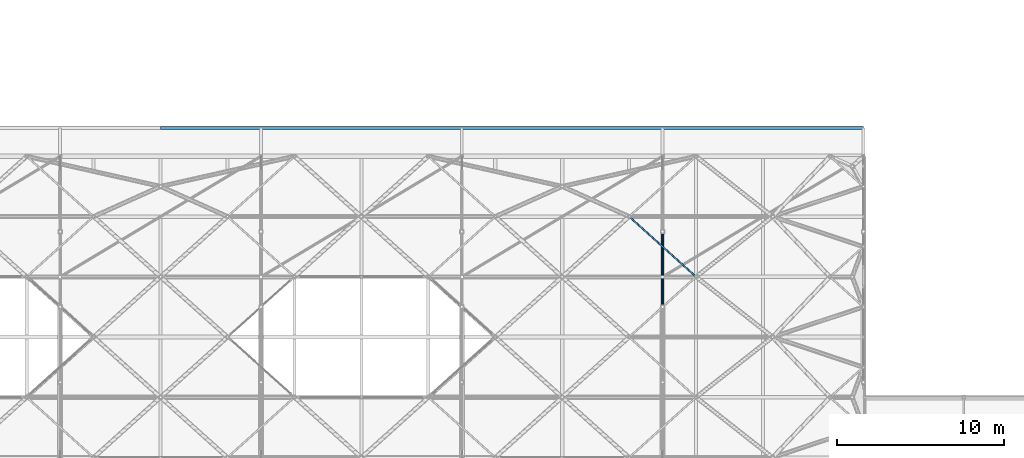
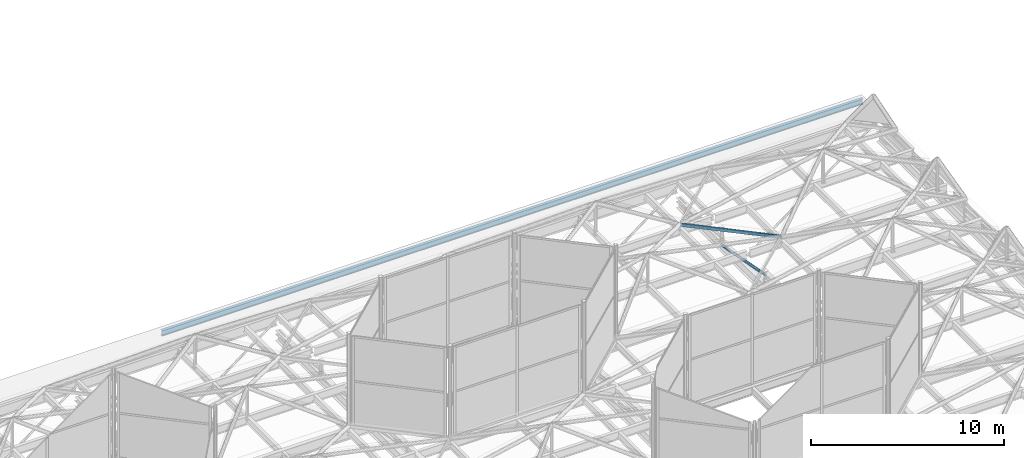
# One storey, part 142 of 239: 2 beams, 1 member.
"""IFC4 building model written with IfcOpenShell, lengths in metres."""

from ifc_helpers import new_model, si_unit, direction, frame, origin, origin_2d, place, context, subcontext, project, spatial, hollow_rectangle, hollow_circle, i_section, extrude, material, material_profile, profile_set, type_object, element, save


model = new_model("IFC4")

# Units and contexts
model_context = context("Model", 3, precision=1e-05, world=origin(), true_north=direction((0.0, 1.0)))
body_context = subcontext(model_context, "Body", "Model", "MODEL_VIEW")
ifc_project = project(units=[si_unit("LENGTHUNIT", "METRE"), si_unit("AREAUNIT", "SQUARE_METRE"), si_unit("VOLUMEUNIT", "CUBIC_METRE"), si_unit("PLANEANGLEUNIT", "RADIAN"), si_unit("MASSUNIT", "GRAM", prefix="KILO")], contexts=[model_context])

# Site, building, storey
site_placement = place(None, origin())
site = spatial("IfcSite", under=ifc_project, at=site_placement, CompositionType="ELEMENT")
building_placement = place(site_placement, origin())
building = spatial("IfcBuilding", under=site, at=building_placement, Name="Dunvalen Ferry Terminal", CompositionType="ELEMENT")
storey_placement = place(building_placement, frame((0.0, 0.0, 9.840087890625)))
storey = spatial("IfcBuildingStorey", under=building, at=storey_placement, Name="L02", CompositionType="ELEMENT", Elevation=9.840087890625)

# Beams
ifc_material = material(Name="Steel S355", Category="steel")
ifc_material_profile_1 = material_profile(ifc_material, hollow_rectangle(XDim=0.10009765625, YDim=0.199951171875, WallThickness=0.008056640625, InnerFilletRadius=0.008056640625, OuterFilletRadius=0.01611328125, at=origin_2d()), Name="Steel S355")
ifc_profile_set_1 = profile_set([ifc_material_profile_1], Name="Steel S355")
beam_type_1 = type_object("IfcBeamType", Name="STR-BM-RHS200", PredefinedType="BEAM", material=ifc_profile_set_1)
beam_1_placement = place(storey_placement, frame((86.0, 79.199951171875, 1.099853515625), z_axis=(-0.743285123004, 0.668974757313, 0.0), x_axis=(-0.668974757313, -0.743285123004, 0.0)))
element("IfcBeam", 1, at=beam_1_placement, inside=storey, type_object=beam_type_1, Name="HEX-38 Hexagonal Rim Beam 4", PredefinedType="BEAM", context=body_context, shape_type="SweptSolid", body=[
    extrude(hollow_rectangle(XDim=0.10009765625, YDim=0.199951171875, WallThickness=0.008056640625, InnerFilletRadius=0.008056640625, OuterFilletRadius=0.01611328125, at=origin_2d()), origin(), (0.0, 0.0, 1.0), 5.381591796875),
])
ifc_material_profile_2 = material_profile(ifc_material, i_section(OverallWidth=0.17138671875, OverallDepth=0.35498046875, WebThickness=0.00732421875, FlangeThickness=0.011474609375, FilletRadius=0.01025390625, at=origin_2d()), Name="Steel S355")
ifc_profile_set_2 = profile_set([ifc_material_profile_2], Name="Steel S355")
beam_type_2 = type_object("IfcBeamType", Name="STR-BM-UKB356", PredefinedType="JOIST", material=ifc_profile_set_2)
beam_2_placement = place(storey_placement, frame((54.0, 88.10009765625, 0.81982421875), z_axis=(1.0, 0.0, 0.0), x_axis=(0.0, 1.0, 0.0)))
element("IfcBeam", 2, at=beam_2_placement, inside=storey, type_object=beam_type_2, Name="Departure Hall North Eave East Fascia Beam", PredefinedType="JOIST", context=body_context, shape_type="SweptSolid", body=[
    extrude(i_section(OverallWidth=0.17138671875, OverallDepth=0.35498046875, WebThickness=0.00732421875, FlangeThickness=0.011474609375, FilletRadius=0.01025390625, at=origin_2d()), origin(), (0.0, 0.0, 1.0), 42.0),
])

# Member
ifc_material_profile_3 = material_profile(ifc_material, hollow_circle(Radius=0.084228515625, WallThickness=0.008056640625, at=origin_2d()), Name="Steel S355")
ifc_profile_set_3 = profile_set([ifc_material_profile_3], Name="Steel S355")
member_type = type_object("IfcMemberType", Name="STR-MB-CHS168", PredefinedType="BRACE", material=ifc_profile_set_3)
member_placement = place(storey_placement, frame((84.0, 77.39990234375, 0.474853515625), z_axis=(0.0, 0.983218272848, -0.18243307797), x_axis=(-1.0, 0.0, 0.0)))
element("IfcMember", 3, at=member_placement, inside=storey, type_object=member_type, Name="Departure Hall Arch Web Diagonal 07.7", PredefinedType="BRACE", context=body_context, shape_type="SweptSolid", body=[
    extrude(hollow_circle(Radius=0.084228515625, WallThickness=0.008056640625, at=origin_2d()), origin(), (0.0, 0.0, 1.0), 4.576904296875),
])

save(model, "model.ifc")
